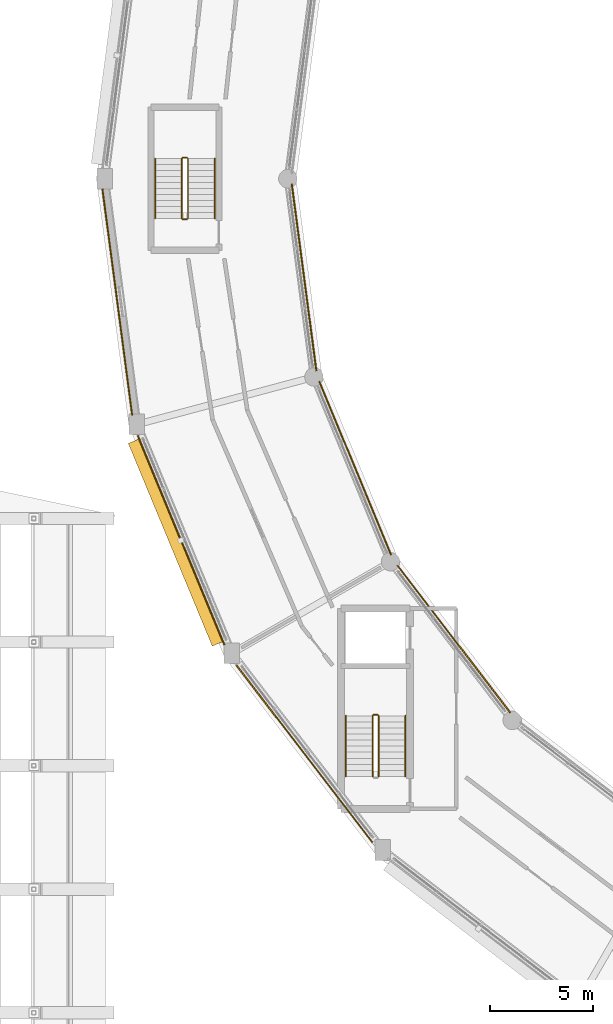
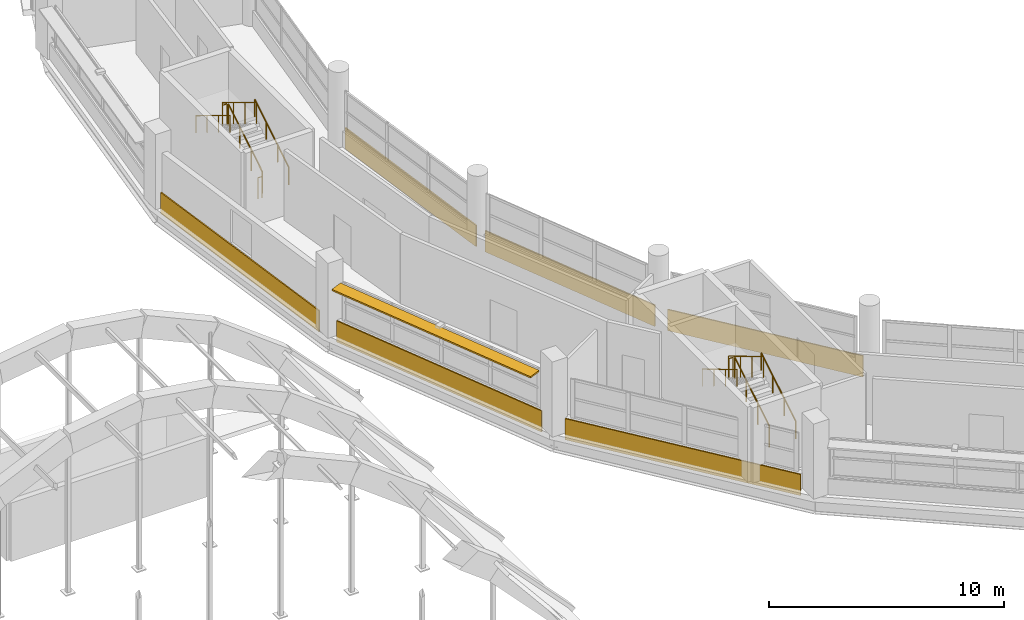
# One storey, part 83 of 88: 11 railings, 6 coverings, 1 shading device.
"""IFC4 building model written with IfcOpenShell, lengths in metres."""

from ifc_helpers import new_model, si_unit, direction, frame, frame_2d, origin, origin_2d, place, context, subcontext, project, spatial, rectangle, circle, extrude, material, layer, layer_set, type_object, element, save


model = new_model("IFC4")

# Units and contexts
model_context = context("Model", 3, precision=1e-05, world=origin(), true_north=direction((0.0, 1.0)))
body_context = subcontext(model_context, "Body", "Model", "MODEL_VIEW")
ifc_project = project(units=[si_unit("LENGTHUNIT", "METRE"), si_unit("AREAUNIT", "SQUARE_METRE"), si_unit("VOLUMEUNIT", "CUBIC_METRE"), si_unit("PLANEANGLEUNIT", "RADIAN"), si_unit("MASSUNIT", "GRAM", prefix="KILO")], contexts=[model_context])

# Site, building, storey
site_placement = place(None, origin())
site = spatial("IfcSite", under=ifc_project, at=site_placement, CompositionType="ELEMENT")
building_placement = place(site_placement, origin())
building = spatial("IfcBuilding", under=site, at=building_placement, Name="Vespera Passage Community Centre", CompositionType="ELEMENT")
storey_placement = place(building_placement, frame((0.0, 0.0, 16.5)))
storey = spatial("IfcBuildingStorey", under=building, at=storey_placement, Name="L04", CompositionType="ELEMENT", Elevation=16.5)

# Coverings
ifc_material_1 = material(Name="Precast concrete f'c 40 MPa", Category="concrete")
ifc_layer = layer(ifc_material_1, 0.06005859375)
ifc_layer_set = layer_set([ifc_layer], Name="Precast concrete f'c 40 MPa")
covering_type = type_object("IfcCoveringType", Name="COV-CLAD-60E", PredefinedType="CLADDING", material=ifc_layer_set)
covering_1_placement = place(storey_placement, frame((33.23974609375, 54.021484375, -0.280029296875), z_axis=(0.0, 0.0, 1.0), x_axis=(-0.130513242145, 0.991446566197, 0.0)))
element("IfcCovering", 1, at=covering_1_placement, inside=storey, type_object=covering_type, Name="V4 L04 Outer White Sill Band O12", PredefinedType="CLADDING", context=body_context, shape_type="SweptSolid", body=[
    extrude(rectangle(XDim=11.075927734375, YDim=0.06005859375, at=frame_2d((5.5380859375, 0.0))), origin(), (0.0, 0.0, 1.0), 1.10009765625),
])
covering_2_placement = place(storey_placement, frame((40.989990234375, 65.2451171875, -0.280029296875), z_axis=(0.0, 0.0, 1.0), x_axis=(0.13052003772, -0.99144567161, 0.0)))
element("IfcCovering", 2, at=covering_2_placement, inside=storey, type_object=covering_type, Name="V4 L04 Inner Court White Spandrel Band I12", PredefinedType="CLADDING", context=body_context, shape_type="SweptSolid", body=[
    extrude(rectangle(XDim=9.15625, YDim=0.06005859375, at=frame_2d((4.578125, 0.0))), origin(), (0.0, 0.0, 1.0), 1.10009765625),
])
covering_3_placement = place(storey_placement, frame((37.7216796875, 42.86181640625, -0.280029296875), z_axis=(0.0, 0.0, 1.0), x_axis=(-0.382695413149, 0.923874569817, 0.0)))
element("IfcCovering", 3, at=covering_3_placement, inside=storey, type_object=covering_type, Name="V4 L04 Outer White Spandrel Band O13", PredefinedType="CLADDING", context=body_context, shape_type="SweptSolid", body=[
    extrude(rectangle(XDim=11.002197265625, YDim=0.06005859375, at=frame_2d((5.5009765625, 0.0))), origin(), (0.0, 0.0, 1.0), 1.10009765625),
])
covering_4_placement = place(storey_placement, frame((42.325439453125, 55.654296875, -0.280029296875), z_axis=(0.0, 0.0, 1.0), x_axis=(0.38269491658, -0.92387477551, 0.0)))
element("IfcCovering", 4, at=covering_4_placement, inside=storey, type_object=covering_type, Name="V4 L04 Inner Court White Spandrel Band I13", PredefinedType="CLADDING", context=body_context, shape_type="SweptSolid", body=[
    extrude(rectangle(XDim=9.11181640625, YDim=0.06005859375, at=frame_2d((4.555908203125, 0.0))), origin(), (0.0, 0.0, 1.0), 1.10009765625),
])
covering_5_placement = place(storey_placement, frame((44.90771484375, 33.267822265625, -0.280029296875), z_axis=(0.0, 0.0, 1.0), x_axis=(-0.608767750285, 0.793348489765, 0.0)))
element("IfcCovering", 5, at=covering_5_placement, inside=storey, type_object=covering_type, Name="V4 L04 Outer White Spandrel Band O14", PredefinedType="CLADDING", context=body_context, shape_type="SweptSolid", body=[
    extrude(rectangle(XDim=10.8525390625, YDim=0.06005859375, at=frame_2d((5.42626953125, 0.0))), origin(), (0.0, 0.0, 1.0), 1.10009765625),
])
covering_6_placement = place(storey_placement, frame((46.121826171875, 46.714111328125, -0.280029296875), z_axis=(0.0, 0.0, 1.0), x_axis=(0.608765610033, -0.793350132061, 0.0)))
element("IfcCovering", 6, at=covering_6_placement, inside=storey, type_object=covering_type, Name="V4 L04 Inner Court White Spandrel Band I14", PredefinedType="CLADDING", context=body_context, shape_type="SweptSolid", body=[
    extrude(rectangle(XDim=9.004638671875, YDim=0.06005859375, at=frame_2d((4.50244140625, 0.0))), origin(), (0.0, 0.0, 1.0), 1.10009765625),
])

# Railings
ifc_material_2 = material(Name="Steel ASTM A500 Grade C", Category="steel")
railing_type_1 = type_object("IfcRailingType", Name="RL-HAND-900I", PredefinedType="HANDRAIL", material=ifc_material_2)
railing_1_placement = place(storey_placement, frame((37.25, 63.574951171875, 0.17724609375)))
element("IfcRailing", 7, at=railing_1_placement, inside=storey, type_object=railing_type_1, Name="L04 ST04 stair handrail 1", PredefinedType="HANDRAIL", context=body_context, shape_type="SweptSolid", body=[
    extrude(circle(Radius=0.02392578125, at=origin_2d()), frame((0.0, 0.0, 0.8759765625), z_axis=(0.0, 0.853230340181, 0.521534262148), x_axis=(-1.0, 0.0, 0.0)), (0.0, 0.0, 1.0), 3.39892578125),
    extrude(circle(Radius=0.02099609375, at=origin_2d()), origin(), (0.0, 0.0, 1.0), 0.851806640625),
    extrude(circle(Radius=0.02099609375, at=origin_2d()), frame((0.0, 0.966796875, 0.5908203125)), (0.0, 0.0, 1.0), 0.851806640625),
    extrude(circle(Radius=0.02099609375, at=origin_2d()), frame((0.0, 1.933349609375, 1.181884765625)), (0.0, 0.0, 1.0), 0.851806640625),
    extrude(circle(Radius=0.02099609375, at=origin_2d()), frame((0.0, 2.900146484375, 1.772705078125)), (0.0, 0.0, 1.0), 0.851806640625),
])
railing_2_placement = place(storey_placement, frame((34.35009765625, 66.47509765625, 2.127197265625)))
element("IfcRailing", 8, at=railing_2_placement, inside=storey, type_object=railing_type_1, Name="L04 ST04 stair handrail 2", PredefinedType="HANDRAIL", context=body_context, shape_type="SweptSolid", body=[
    extrude(circle(Radius=0.02392578125, at=origin_2d()), frame((0.0, 0.0, 0.8759765625), z_axis=(0.0, -0.853230340181, 0.521534262148), x_axis=(1.0, 0.0, 0.0)), (0.0, 0.0, 1.0), 3.39892578125),
    extrude(circle(Radius=0.02099609375, at=origin_2d()), origin(), (0.0, 0.0, 1.0), 0.851806640625),
    extrude(circle(Radius=0.02099609375, at=origin_2d()), frame((0.0, -0.966796875, 0.5908203125)), (0.0, 0.0, 1.0), 0.851806640625),
    extrude(circle(Radius=0.02099609375, at=origin_2d()), frame((0.0, -1.933349609375, 1.181884765625)), (0.0, 0.0, 1.0), 0.851806640625),
    extrude(circle(Radius=0.02099609375, at=origin_2d()), frame((0.0, -2.900146484375, 1.772705078125)), (0.0, 0.0, 1.0), 0.851806640625),
])
railing_3_placement = place(storey_placement, frame((46.510986328125, 36.469970703125, 0.17724609375)))
element("IfcRailing", 9, at=railing_3_placement, inside=storey, type_object=railing_type_1, Name="L04 ST05 stair handrail 1", PredefinedType="HANDRAIL", context=body_context, shape_type="SweptSolid", body=[
    extrude(circle(Radius=0.02392578125, at=origin_2d()), frame((0.0, 0.0, 0.8759765625), z_axis=(0.0, 0.857142210208, 0.515079830201), x_axis=(-1.0, 0.0, 0.0)), (0.0, 0.0, 1.0), 3.441650390625),
    extrude(circle(Radius=0.02099609375, at=origin_2d()), origin(), (0.0, 0.0, 1.0), 0.851806640625),
    extrude(circle(Radius=0.02099609375, at=origin_2d()), frame((0.0, 0.9833984375, 0.5908203125)), (0.0, 0.0, 1.0), 0.851806640625),
    extrude(circle(Radius=0.02099609375, at=origin_2d()), frame((0.0, 1.966552734375, 1.181884765625)), (0.0, 0.0, 1.0), 0.851806640625),
    extrude(circle(Radius=0.02099609375, at=origin_2d()), frame((0.0, 2.949951171875, 1.772705078125)), (0.0, 0.0, 1.0), 0.851806640625),
])
railing_4_placement = place(storey_placement, frame((43.611083984375, 39.419921875, 2.127197265625)))
element("IfcRailing", 10, at=railing_4_placement, inside=storey, type_object=railing_type_1, Name="L04 ST05 stair handrail 2", PredefinedType="HANDRAIL", context=body_context, shape_type="SweptSolid", body=[
    extrude(circle(Radius=0.02392578125, at=origin_2d()), frame((0.0, 0.0, 0.8759765625), z_axis=(0.0, -0.857142210208, 0.515079830201), x_axis=(1.0, 0.0, 0.0)), (0.0, 0.0, 1.0), 3.441650390625),
    extrude(circle(Radius=0.02099609375, at=origin_2d()), origin(), (0.0, 0.0, 1.0), 0.851806640625),
    extrude(circle(Radius=0.02099609375, at=origin_2d()), frame((0.0, -0.9833984375, 0.5908203125)), (0.0, 0.0, 1.0), 0.851806640625),
    extrude(circle(Radius=0.02099609375, at=origin_2d()), frame((0.0, -1.966552734375, 1.181884765625)), (0.0, 0.0, 1.0), 0.851806640625),
    extrude(circle(Radius=0.02099609375, at=origin_2d()), frame((0.0, -2.949951171875, 1.772705078125)), (0.0, 0.0, 1.0), 0.851806640625),
])
ifc_material_3 = material(Name="Steel ASTM A500 Grade C", Category="steel")
railing_type_2 = type_object("IfcRailingType", Name="RL-STAIR-1100I", PredefinedType="GUARDRAIL", material=ifc_material_3)
railing_5_placement = place(storey_placement, frame((35.949951171875, 63.574951171875, 0.17724609375)))
element("IfcRailing", 11, at=railing_5_placement, inside=storey, type_object=railing_type_2, Name="L04 ST04 stair guard 1", PredefinedType="GUARDRAIL", context=body_context, shape_type="SweptSolid", body=[
    extrude(circle(Radius=0.02392578125, at=origin_2d()), frame((0.0, 0.0, 1.09619140625), z_axis=(0.0, 0.853230340181, 0.521534262148), x_axis=(-1.0, 0.0, 0.0)), (0.0, 0.0, 1.0), 3.39892578125),
    extrude(circle(Radius=0.02099609375, at=origin_2d()), origin(), (0.0, 0.0, 1.0), 1.072021484375),
    extrude(circle(Radius=0.02099609375, at=origin_2d()), frame((0.0, 0.966796875, 0.5908203125)), (0.0, 0.0, 1.0), 1.072021484375),
    extrude(circle(Radius=0.02099609375, at=origin_2d()), frame((0.0, 1.933349609375, 1.181884765625)), (0.0, 0.0, 1.0), 1.072021484375),
    extrude(circle(Radius=0.02099609375, at=origin_2d()), frame((0.0, 2.900146484375, 1.772705078125)), (0.0, 0.0, 1.0), 1.072021484375),
])
railing_6_placement = place(storey_placement, frame((35.89990234375, 66.52490234375, 1.949951171875)))
element("IfcRailing", 12, at=railing_6_placement, inside=storey, type_object=railing_type_2, Name="L04 ST04 stair guard 2", PredefinedType="GUARDRAIL", context=body_context, shape_type="SweptSolid", body=[
    extrude(circle(Radius=0.02392578125, at=origin_2d()), frame((0.0, 0.0, 1.09619140625), z_axis=(-1.0, 0.0, 0.0), x_axis=(0.0, -1.0, 0.0)), (0.0, 0.0, 1.0), 0.199951171875),
    extrude(circle(Radius=0.02099609375, at=origin_2d()), origin(), (0.0, 0.0, 1.0), 1.072021484375),
    extrude(circle(Radius=0.02099609375, at=origin_2d()), frame((-0.199951171875, 0.0, 0.0)), (0.0, 0.0, 1.0), 1.072021484375),
])
railing_7_placement = place(storey_placement, frame((35.64990234375, 66.47509765625, 2.127197265625)))
element("IfcRailing", 13, at=railing_7_placement, inside=storey, type_object=railing_type_2, Name="L04 ST04 stair guard 3", PredefinedType="GUARDRAIL", context=body_context, shape_type="SweptSolid", body=[
    extrude(circle(Radius=0.02392578125, at=origin_2d()), frame((0.0, 0.0, 1.09619140625), z_axis=(0.0, -0.853230340181, 0.521534262148), x_axis=(1.0, 0.0, 0.0)), (0.0, 0.0, 1.0), 3.39892578125),
    extrude(circle(Radius=0.02099609375, at=origin_2d()), origin(), (0.0, 0.0, 1.0), 1.072021484375),
    extrude(circle(Radius=0.02099609375, at=origin_2d()), frame((0.0, -0.966796875, 0.5908203125)), (0.0, 0.0, 1.0), 1.072021484375),
    extrude(circle(Radius=0.02099609375, at=origin_2d()), frame((0.0, -1.933349609375, 1.181884765625)), (0.0, 0.0, 1.0), 1.072021484375),
    extrude(circle(Radius=0.02099609375, at=origin_2d()), frame((0.0, -2.900146484375, 1.772705078125)), (0.0, 0.0, 1.0), 1.072021484375),
])
railing_8_placement = place(storey_placement, frame((35.89990234375, 63.52490234375, 0.0)))
element("IfcRailing", 14, at=railing_8_placement, inside=storey, type_object=railing_type_2, Name="L04 ST04 stair guard 4", PredefinedType="GUARDRAIL", context=body_context, shape_type="SweptSolid", body=[
    extrude(circle(Radius=0.02392578125, at=origin_2d()), frame((0.0, 0.0, 1.09619140625), z_axis=(-1.0, 0.0, 0.0), x_axis=(0.0, -1.0, 0.0)), (0.0, 0.0, 1.0), 0.199951171875),
    extrude(circle(Radius=0.02099609375, at=origin_2d()), origin(), (0.0, 0.0, 1.0), 1.072021484375),
    extrude(circle(Radius=0.02099609375, at=origin_2d()), frame((-0.199951171875, 0.0, 0.0)), (0.0, 0.0, 1.0), 1.072021484375),
])
railing_9_placement = place(storey_placement, frame((45.2109375, 36.469970703125, 0.17724609375)))
element("IfcRailing", 15, at=railing_9_placement, inside=storey, type_object=railing_type_2, Name="L04 ST05 stair guard 1", PredefinedType="GUARDRAIL", context=body_context, shape_type="SweptSolid", body=[
    extrude(circle(Radius=0.02392578125, at=origin_2d()), frame((0.0, 0.0, 1.09619140625), z_axis=(0.0, 0.857142210208, 0.515079830201), x_axis=(-1.0, 0.0, 0.0)), (0.0, 0.0, 1.0), 3.441650390625),
    extrude(circle(Radius=0.02099609375, at=origin_2d()), origin(), (0.0, 0.0, 1.0), 1.072021484375),
    extrude(circle(Radius=0.02099609375, at=origin_2d()), frame((0.0, 0.9833984375, 0.5908203125)), (0.0, 0.0, 1.0), 1.072021484375),
    extrude(circle(Radius=0.02099609375, at=origin_2d()), frame((0.0, 1.966552734375, 1.181884765625)), (0.0, 0.0, 1.0), 1.072021484375),
    extrude(circle(Radius=0.02099609375, at=origin_2d()), frame((0.0, 2.949951171875, 1.772705078125)), (0.0, 0.0, 1.0), 1.072021484375),
])
railing_10_placement = place(storey_placement, frame((45.160888671875, 39.469970703125, 1.949951171875)))
element("IfcRailing", 16, at=railing_10_placement, inside=storey, type_object=railing_type_2, Name="L04 ST05 stair guard 2", PredefinedType="GUARDRAIL", context=body_context, shape_type="SweptSolid", body=[
    extrude(circle(Radius=0.02392578125, at=origin_2d()), frame((0.0, 0.0, 1.09619140625), z_axis=(-1.0, 0.0, 0.0), x_axis=(0.0, -1.0, 0.0)), (0.0, 0.0, 1.0), 0.199951171875),
    extrude(circle(Radius=0.02099609375, at=origin_2d()), origin(), (0.0, 0.0, 1.0), 1.072021484375),
    extrude(circle(Radius=0.02099609375, at=origin_2d()), frame((-0.199951171875, 0.0, 0.0)), (0.0, 0.0, 1.0), 1.072021484375),
])
railing_11_placement = place(storey_placement, frame((44.910888671875, 39.419921875, 2.127197265625)))
element("IfcRailing", 17, at=railing_11_placement, inside=storey, type_object=railing_type_2, Name="L04 ST05 stair guard 3", PredefinedType="GUARDRAIL", context=body_context, shape_type="SweptSolid", body=[
    extrude(circle(Radius=0.02392578125, at=origin_2d()), frame((0.0, 0.0, 1.09619140625), z_axis=(0.0, -0.857142210208, 0.515079830201), x_axis=(1.0, 0.0, 0.0)), (0.0, 0.0, 1.0), 3.441650390625),
    extrude(circle(Radius=0.02099609375, at=origin_2d()), origin(), (0.0, 0.0, 1.0), 1.072021484375),
    extrude(circle(Radius=0.02099609375, at=origin_2d()), frame((0.0, -0.9833984375, 0.5908203125)), (0.0, 0.0, 1.0), 1.072021484375),
    extrude(circle(Radius=0.02099609375, at=origin_2d()), frame((0.0, -1.966552734375, 1.181884765625)), (0.0, 0.0, 1.0), 1.072021484375),
    extrude(circle(Radius=0.02099609375, at=origin_2d()), frame((0.0, -2.949951171875, 1.772705078125)), (0.0, 0.0, 1.0), 1.072021484375),
])

# Shading device
ifc_material_4 = material(Name="Anodized aluminium 6063-T6", Category="aluminium")
shading_device_type = type_object("IfcShadingDeviceType", Name="SHD-EYEBROW", PredefinedType="JALOUSIE", material=ifc_material_4)
shading_device_placement = place(storey_placement, frame((35.366943359375, 47.8408203125, 2.74560546875), z_axis=(0.0, 0.0, 1.0), x_axis=(-0.382683432365, 0.923879532511, 0.0)))
element("IfcShadingDevice", 18, at=shading_device_placement, inside=storey, type_object=shading_device_type, Name="V4 L04 Outer Solar Eyebrow 13", PredefinedType="JALOUSIE", context=body_context, shape_type="SweptSolid", body=[
    extrude(rectangle(XDim=10.652099609375, YDim=0.60009765625, at=origin_2d()), origin(), (0.0, 0.0, 1.0), 0.080078125),
])

save(model, "model.ifc")
